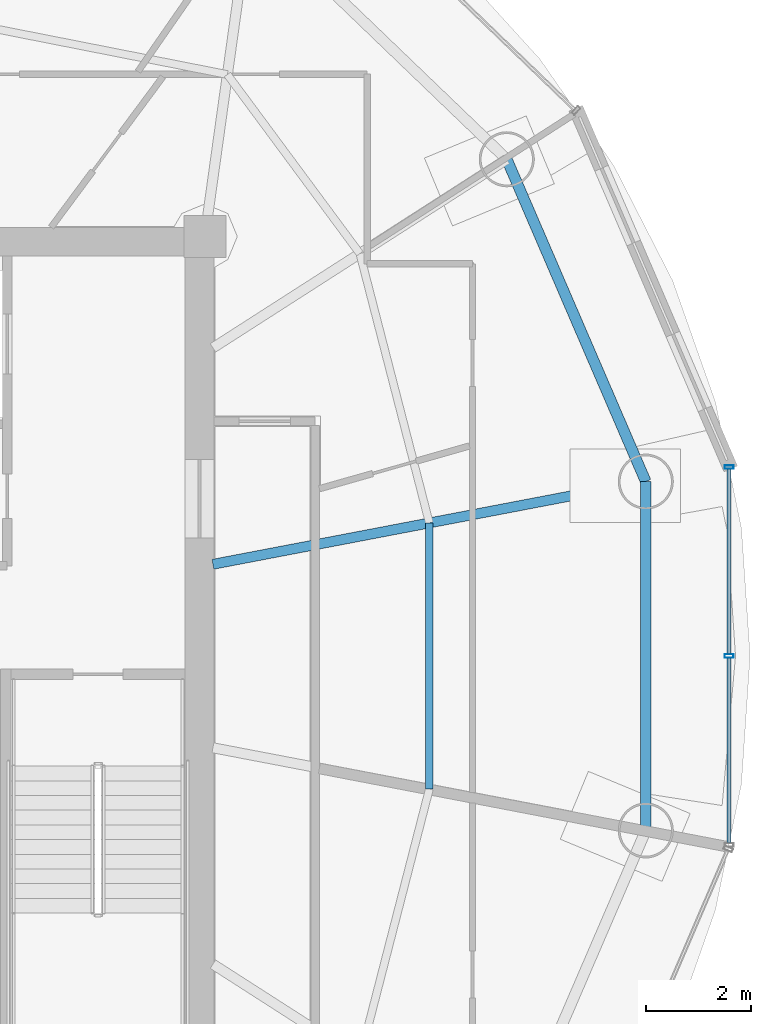
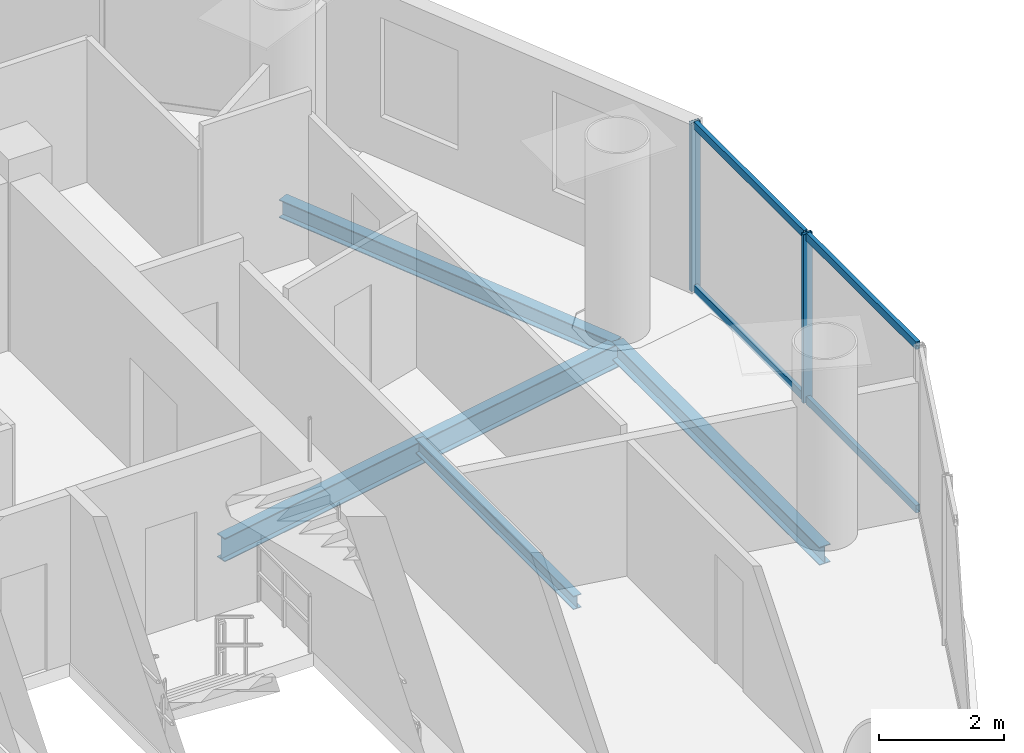
# One storey, part 12 of 23: 6 members, 4 beams, 1 element without a shape of its own.
"""IFC4 building model written with IfcOpenShell, lengths in metres."""

from ifc_helpers import new_model, si_unit, direction, frame, origin, origin_2d, place, context, subcontext, project, spatial, hollow_rectangle, i_section, extrude, source, transform, mapped, material, material_profile, profile_set, type_object, element, aggregate, save


model = new_model("IFC4")

# Units and contexts
model_context = context("Model", 3, precision=1e-05, world=origin(), true_north=direction((-0.2419218956, 0.970295726276)))
body_context = subcontext(model_context, "Body", "Model", "MODEL_VIEW")
ifc_project = project(units=[si_unit("LENGTHUNIT", "METRE"), si_unit("AREAUNIT", "SQUARE_METRE"), si_unit("VOLUMEUNIT", "CUBIC_METRE"), si_unit("PLANEANGLEUNIT", "RADIAN"), si_unit("MASSUNIT", "GRAM", prefix="KILO")], contexts=[model_context])

# Site, building, storey
site_placement = place(None, origin())
site = spatial("IfcSite", under=ifc_project, at=site_placement, CompositionType="ELEMENT")
building_placement = place(site_placement, origin())
building = spatial("IfcBuilding", under=site, at=building_placement, Name="Cobrevalo Terracotta Tower", CompositionType="ELEMENT")
storey_placement = place(building_placement, frame((0.0, 0.0, 296.949951171875)))
storey = spatial("IfcBuildingStorey", under=building, at=storey_placement, Name="L78", CompositionType="ELEMENT", Elevation=296.949951171875)

# Beams
ifc_material_1 = material(Name="Steel S355", Category="steel")
ifc_material_profile_1 = material_profile(ifc_material_1, i_section(OverallWidth=0.19091796875, OverallDepth=0.4599609375, WebThickness=0.010009765625, FlangeThickness=0.01611328125, at=origin_2d()), Name="W 460x82")
ifc_profile_set_1 = profile_set([ifc_material_profile_1], Name="Steel S355")
beam_type_1 = type_object("IfcBeamType", Name="Structural Beam W 460x82 (Steel S355)", PredefinedType="BEAM", material=ifc_profile_set_1)
beam_1_placement = place(storey_placement, frame((55.408935546875, 30.126220703125, -0.489990234375), z_axis=(-0.982234917636, -0.187655446433, 0.0), x_axis=(0.187655446433, -0.982234917636, 0.0)))
element("IfcBeam", 1, at=beam_1_placement, inside=storey, type_object=beam_type_1, Name="L78 radial floor girder 01", PredefinedType="BEAM", context=body_context, shape_type="SweptSolid", body=[
    extrude(i_section(OverallWidth=0.19091796875, OverallDepth=0.4599609375, WebThickness=0.010009765625, FlangeThickness=0.01611328125, at=origin_2d()), origin(), (0.0, 0.0, 1.0), 8.403076171875),
])
ifc_material_profile_2 = material_profile(ifc_material_1, i_section(OverallWidth=0.14794921875, OverallDepth=0.26611328125, WebThickness=0.007568359375, FlangeThickness=0.012939453125, at=origin_2d()), Name="W 250x44.8")
ifc_profile_set_2 = profile_set([ifc_material_profile_2], Name="Steel S355")
beam_type_2 = type_object("IfcBeamType", Name="Structural Joist W 250x44.8 (Steel S355)", PredefinedType="JOIST", material=ifc_profile_set_2)
beam_2_placement = place(storey_placement, frame((51.281982421875, 24.26220703125, -0.39306640625), z_axis=(0.0, 1.0, 0.0), x_axis=(-1.0, 0.0, 0.0)))
element("IfcBeam", 2, at=beam_2_placement, inside=storey, type_object=beam_type_2, Name="L78 circumferential secondary floor joist 16", PredefinedType="JOIST", context=body_context, shape_type="SweptSolid", body=[
    extrude(i_section(OverallWidth=0.14794921875, OverallDepth=0.26611328125, WebThickness=0.007568359375, FlangeThickness=0.012939453125, at=origin_2d()), origin(), (0.0, 0.0, 1.0), 5.075439453125),
])
ifc_material_profile_3 = material_profile(ifc_material_1, i_section(OverallWidth=0.205078125, OverallDepth=0.35400390625, WebThickness=0.009521484375, FlangeThickness=0.016845703125, at=origin_2d()), Name="W 360x79")
ifc_profile_set_3 = profile_set([ifc_material_profile_3], Name="Steel S355")
beam_type_3 = type_object("IfcBeamType", Name="Structural Spandrel W 360x79 (Steel S355)", PredefinedType="SPANDREL", material=ifc_profile_set_3)
beam_3_placement = place(storey_placement, frame((55.408935546875, 30.126220703125, -0.43701171875), z_axis=(-0.395974127655, 0.918261667624, 0.0), x_axis=(-0.918261667624, -0.395974127655, 0.0)))
element("IfcBeam", 3, at=beam_3_placement, inside=storey, type_object=beam_type_3, Name="L78 perimeter ring spandrel 01", PredefinedType="SPANDREL", context=body_context, shape_type="SweptSolid", body=[
    extrude(i_section(OverallWidth=0.205078125, OverallDepth=0.35400390625, WebThickness=0.009521484375, FlangeThickness=0.016845703125, at=origin_2d()), origin(), (0.0, 0.0, 1.0), 6.693359375),
])
beam_4_placement = place(storey_placement, frame((55.408935546875, 23.4736328125, -0.43701171875), z_axis=(0.0, 1.0, 0.0), x_axis=(-1.0, 0.0, 0.0)))
element("IfcBeam", 4, at=beam_4_placement, inside=storey, type_object=beam_type_3, Name="L78 perimeter ring spandrel 16", PredefinedType="SPANDREL", context=body_context, shape_type="SweptSolid", body=[
    extrude(i_section(OverallWidth=0.205078125, OverallDepth=0.35400390625, WebThickness=0.009521484375, FlangeThickness=0.016845703125, at=origin_2d()), origin(), (0.0, 0.0, 1.0), 6.652587890625),
])

# Curtain wall, members
ifc_material_2 = material(Name="Anodized aluminium", Category="aluminium")
curtain_wall_type = type_object("IfcCurtainWallType", Name="Upper-tower triple-glazed penthouse curtain wall CW-U3", PredefinedType="NOTDEFINED", material=ifc_material_2)
curtain_wall_placement = place(storey_placement, origin())
curtain_wall = element("IfcCurtainWall", 5, at=curtain_wall_placement, inside=storey, type_object=curtain_wall_type, Name="L78 curtain wall CW-L78-S16", PredefinedType="NOTDEFINED")
ifc_material_profile_4 = material_profile(ifc_material_2, hollow_rectangle(XDim=0.074951171875, YDim=0.14990234375, WallThickness=0.00439453125, at=origin_2d()), Name="CWT 75x150")
ifc_profile_set_4 = profile_set([ifc_material_profile_4], Name="Anodized aluminium")
member_type_1 = type_object("IfcMemberType", Name="Tower unitised aluminium transom 75x150", PredefinedType="USERDEFINED", material=ifc_profile_set_4)
shared_shape_1 = source(origin(), body_context, "Body", "SweptSolid", [
    extrude(hollow_rectangle(XDim=0.074951171875, YDim=0.14990234375, WallThickness=0.00439453125, at=origin_2d()), origin(), (0.0, 0.0, 1.0), 3.522216796875),
])
member_1_placement = place(storey_placement, frame((56.997802734375, 26.840087890625, 0.050048828125), z_axis=(0.0, 1.0, 0.0), x_axis=(-1.0, 0.0, 0.0)))
member_1 = element("IfcMember", 6, at=member_1_placement, type_object=member_type_1, Name="CW-L78-S16 transom B02-T1", ObjectType="TRANSOM", PredefinedType="USERDEFINED", context=body_context, shape_type="MappedRepresentation", body=[
    mapped(shared_shape_1, transform((0.0, 0.0, 0.0), scale=1.0)),
])
member_2_placement = place(storey_placement, frame((56.997802734375, 26.840087890625, 3.25), z_axis=(0.0, 1.0, 0.0), x_axis=(-1.0, 0.0, 0.0)))
member_2 = element("IfcMember", 7, at=member_2_placement, type_object=member_type_1, Name="CW-L78-S16 transom B02-T2", ObjectType="TRANSOM", PredefinedType="USERDEFINED", context=body_context, shape_type="MappedRepresentation", body=[
    mapped(shared_shape_1, transform((0.0, 0.0, 0.0), scale=1.0)),
])
shared_shape_2 = source(origin(), body_context, "Body", "SweptSolid", [
    extrude(hollow_rectangle(XDim=0.074951171875, YDim=0.14990234375, WallThickness=0.00439453125, at=origin_2d()), origin(), (0.0, 0.0, 1.0), 3.5224609375),
])
member_3_placement = place(storey_placement, frame((56.997802734375, 23.237548828125, 0.050048828125), z_axis=(0.0, 1.0, 0.0), x_axis=(-1.0, 0.0, 0.0)))
member_3 = element("IfcMember", 8, at=member_3_placement, type_object=member_type_1, Name="CW-L78-S16 transom B01-T1", ObjectType="TRANSOM", PredefinedType="USERDEFINED", context=body_context, shape_type="MappedRepresentation", body=[
    mapped(shared_shape_2, transform((0.0, 0.0, 0.0), scale=1.0)),
])
member_4_placement = place(storey_placement, frame((56.997802734375, 23.237548828125, 3.25), z_axis=(0.0, 1.0, 0.0), x_axis=(-1.0, 0.0, 0.0)))
member_4 = element("IfcMember", 9, at=member_4_placement, type_object=member_type_1, Name="CW-L78-S16 transom B01-T2", ObjectType="TRANSOM", PredefinedType="USERDEFINED", context=body_context, shape_type="MappedRepresentation", body=[
    mapped(shared_shape_2, transform((0.0, 0.0, 0.0), scale=1.0)),
])
ifc_material_profile_5 = material_profile(ifc_material_2, hollow_rectangle(XDim=0.070068359375, YDim=0.169921875, WallThickness=0.00439453125, at=origin_2d()), Name="CWM 70x170")
ifc_profile_set_5 = profile_set([ifc_material_profile_5], Name="Anodized aluminium")
member_type_2 = type_object("IfcMemberType", Name="Upper tower unitised mullion 70x170", PredefinedType="MULLION", material=ifc_profile_set_5)
shared_shape_3 = source(origin(), body_context, "Body", "SweptSolid", [
    extrude(hollow_rectangle(XDim=0.070068359375, YDim=0.169921875, WallThickness=0.00439453125, at=origin_2d()), origin(), (0.0, 0.0, 1.0), 3.300048828125),
])
member_5_placement = place(storey_placement, frame((56.997802734375, 26.800048828125, 0.0), z_axis=(0.0, 0.0, 1.0), x_axis=(0.0, 1.0, 0.0)))
member_5 = element("IfcMember", 10, at=member_5_placement, type_object=member_type_2, Name="CW-L78-S16 vertical mullion 02", PredefinedType="MULLION", context=body_context, shape_type="MappedRepresentation", body=[
    mapped(shared_shape_3, transform((0.0, 0.0, 0.0), scale=1.0)),
])
member_6_placement = place(storey_placement, frame((56.997802734375, 30.40234375, 0.0), z_axis=(0.0, 0.0, 1.0), x_axis=(0.0, 1.0, 0.0)))
member_6 = element("IfcMember", 11, at=member_6_placement, type_object=member_type_2, Name="CW-L78-S16 vertical mullion 03", PredefinedType="MULLION", context=body_context, shape_type="MappedRepresentation", body=[
    mapped(shared_shape_3, transform((0.0, 0.0, 0.0), scale=1.0)),
])
aggregate(curtain_wall, [member_5, member_6, member_3, member_4, member_1, member_2])

save(model, "model.ifc")
